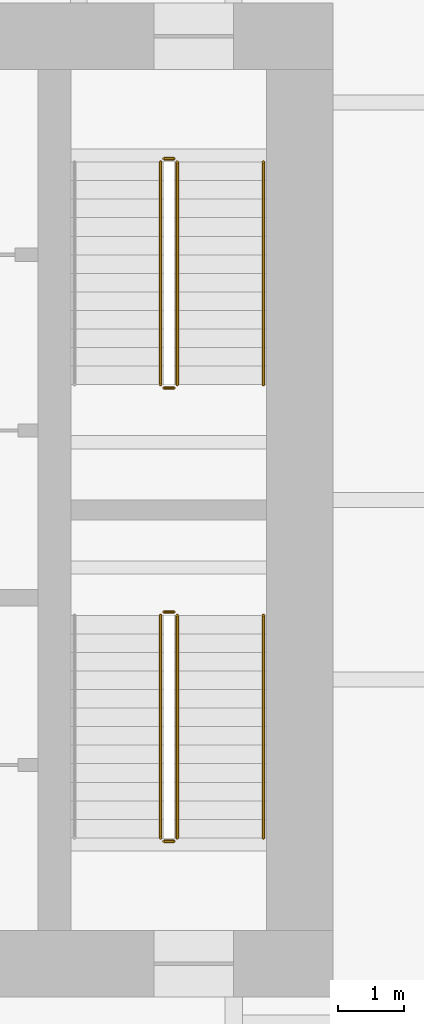
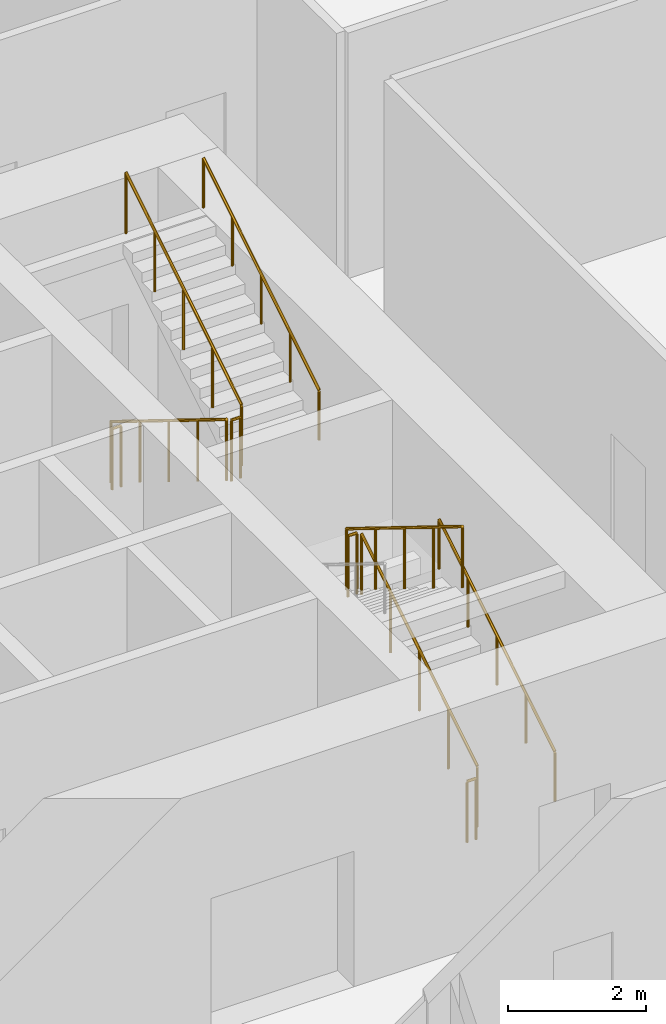
# One storey, part 32 of 33: 10 railings.
"""IFC4 building model written with IfcOpenShell, lengths in metres."""

import ifcopenshell
import ifcopenshell.guid

model = None  # the IFC model being written
_history = None  # IfcOwnerHistory: only IFC2X3 demands one
_inside = {}  # id of a spatial element -> (the spatial element, [elements in it])
_under = {}  # id of a project, library or spatial element -> (it, [spatial elements below it])
_declared = {}  # id of a project -> (the project, [libraries it declares])
_typed = {}  # id of a type object -> (the type object, [elements of that type])
_made_of = {}  # id of a material, layer set ... -> (it, [elements and type objects made of it])


def new_model(schema):
    """Start an empty IFC model of exactly this schema.

    Asked for "IFC4X3", IfcOpenShell would pick the latest addendum, in which some entities
    have other attributes; the version numbers below select the first issue.
    IFC2X3 requires an IfcOwnerHistory on every rooted entity: one is made here for all.
    """
    global model, _history
    if schema == "IFC4X3":
        model = ifcopenshell.file(schema_version=(4, 3, 0, 0))
    else:
        model = ifcopenshell.file(schema=schema)
    _inside.clear()
    _under.clear()
    _declared.clear()
    _typed.clear()
    _made_of.clear()
    _history = None
    if model.schema == "IFC2X3":
        org = make("IfcOrganization", Name="unknown")
        user = make(
            "IfcPersonAndOrganization",
            ThePerson=make("IfcPerson", FamilyName="unknown"),
            TheOrganization=org,
        )
        app = make(
            "IfcApplication",
            ApplicationDeveloper=org,
            Version="unknown",
            ApplicationFullName="unknown",
            ApplicationIdentifier="unknown",
        )
        _history = make(
            "IfcOwnerHistory",
            OwningUser=user,
            OwningApplication=app,
            ChangeAction="ADDED",
            CreationDate=0,
        )
    return model


def make(cls, **values):
    """One entity of the class cls with the attributes given. An attribute that is None is left unset."""
    return model.create_entity(
        cls, **{name: value for name, value in values.items() if value is not None}
    )


def rooted(cls, **values):
    """An entity with a GlobalId (a new one), such as an element, a storey or a relation."""
    return make(cls, GlobalId=ifcopenshell.guid.new(), OwnerHistory=_history, **values)


def si_unit(unit_type, name, prefix=None):
    """IfcSIUnit, for example si_unit("LENGTHUNIT", "METRE", prefix="MILLI")."""
    return make("IfcSIUnit", UnitType=unit_type, Prefix=prefix, Name=name)


def assignment(units):
    """IfcUnitAssignment: the units of a project."""
    return None if units is None else make("IfcUnitAssignment", Units=units)


def point(xyz):
    """IfcCartesianPoint."""
    return None if xyz is None else make("IfcCartesianPoint", Coordinates=xyz)


def direction(xyz):
    """IfcDirection."""
    return None if xyz is None else make("IfcDirection", DirectionRatios=xyz)


def frame(location, z_axis=None, x_axis=None):
    """IfcAxis2Placement3D, a coordinate frame: its origin and axes. An axis left out is left unset."""
    return make(
        "IfcAxis2Placement3D",
        Location=point(location),
        Axis=direction(z_axis),
        RefDirection=direction(x_axis),
    )


def frame_2d(location, x_axis=None):
    """IfcAxis2Placement2D, a coordinate frame in the plane: its origin and x axis."""
    return make(
        "IfcAxis2Placement2D", Location=point(location), RefDirection=direction(x_axis)
    )


def origin():
    """The frame at (0, 0, 0) with its axes left unset."""
    return frame((0.0, 0.0, 0.0))


def origin_2d():
    """The frame at (0, 0) in the plane with its x axis left unset."""
    return frame_2d((0.0, 0.0))


def place(relative_to, where):
    """IfcLocalPlacement: puts the frame where relative to a parent placement (None: the world)."""
    return make(
        "IfcLocalPlacement", PlacementRelTo=relative_to, RelativePlacement=where
    )


def context(
    kind, dimensions, precision=None, world=None, true_north=None, identifier=None
):
    """IfcGeometricRepresentationContext, for example the 3D "Model" context."""
    return make(
        "IfcGeometricRepresentationContext",
        ContextIdentifier=identifier,
        ContextType=kind,
        CoordinateSpaceDimension=dimensions,
        Precision=precision,
        WorldCoordinateSystem=world,
        TrueNorth=true_north,
    )


def subcontext(parent, identifier, kind, view, scale=None):
    """IfcGeometricRepresentationSubContext, for example "Body" below "Model"."""
    return make(
        "IfcGeometricRepresentationSubContext",
        ContextIdentifier=identifier,
        ContextType=kind,
        ParentContext=parent,
        TargetScale=scale,
        TargetView=view,
    )


def project(units=None, contexts=None):
    """IfcProject with its units and contexts."""
    return rooted(
        "IfcProject",
        Name="project",
        RepresentationContexts=contexts,
        UnitsInContext=assignment(units),
    )


def spatial(cls, under=None, at=None, **own):
    """A site, building, storey or space (cls), placed at a placement, below another one or the project."""
    s = rooted(cls, ObjectPlacement=at, **own)
    if under is not None:
        _under.setdefault(under.id(), (under, []))[1].append(s)
    return s


def profile(cls, at=None, kind="AREA", **sizes):
    """A parametric profile (cls). Its sizes go by their IFC names, for example OverallWidth=200.0."""
    return make(cls, ProfileType=kind, Position=at, **sizes)


def circle(**sizes):
    """IfcCircleProfileDef."""
    return profile("IfcCircleProfileDef", **sizes)


def extrude(swept, where, along, depth):
    """IfcExtrudedAreaSolid: the profile swept, set in the frame where, extruded along a direction by depth."""
    return make(
        "IfcExtrudedAreaSolid",
        SweptArea=swept,
        Position=where,
        ExtrudedDirection=direction(along),
        Depth=depth,
    )


def shape(context_of_items, identifier, shape_type, items):
    """IfcShapeRepresentation: the items that make up one representation, for example the "Body"."""
    return make(
        "IfcShapeRepresentation",
        ContextOfItems=context_of_items,
        RepresentationIdentifier=identifier,
        RepresentationType=shape_type,
        Items=items,
    )


def material(Name=None, Category=None):
    """IfcMaterial."""
    return make("IfcMaterial", Name=Name, Category=Category)


def made_of(thing, what):
    """Note that an element or type object is made of a material, layer set ...; save() writes the relation."""
    if what is not None:
        _made_of.setdefault(what.id(), (what, []))[1].append(thing)
    return thing


def type_object(cls, material=None, **own):
    """A type object (cls), such as IfcWallType, which elements share."""
    return made_of(rooted(cls, **own), material)


def element(
    cls,
    number,
    at=None,
    inside=None,
    cuts=None,
    type_object=None,
    material=None,
    context=None,
    identifier="Body",
    shape_type=None,
    held_by="IfcProductDefinitionShape",
    body=None,
    shapes=None,
    **own,
):
    """One element of the class cls, such as IfcWall. Its Tag is "e" and its number.

    at: its placement. inside: the storey or other place that contains it. cuts: it is an
    opening in that element (IfcRelVoidsElement). A single representation is given by context,
    identifier, shape_type and body (its items); several are given by shapes. held_by: the class
    of the entity that holds the representations. save() writes the other relations.
    """
    e = rooted(cls, Tag="e%d" % number, ObjectPlacement=at, **own)
    if body is not None:
        shapes = [shape(context, identifier, shape_type, body)]
    if shapes is not None:
        e.Representation = make(held_by, Representations=shapes)
    if inside is not None:
        _inside.setdefault(inside.id(), (inside, []))[1].append(e)
    if cuts is not None:
        rooted(
            "IfcRelVoidsElement", RelatingBuildingElement=cuts, RelatedOpeningElement=e
        )
    if type_object is not None:
        _typed.setdefault(type_object.id(), (type_object, []))[1].append(e)
    return made_of(e, material)


def aggregate(whole, parts):
    """IfcRelAggregates: a whole, such as a stair, and the parts it consists of."""
    return rooted("IfcRelAggregates", RelatingObject=whole, RelatedObjects=parts)


def save(model, path):
    """Write the relations noted so far, then the file.

    IfcRelAggregates (storeys below a building ...), IfcRelContainedInSpatialStructure (elements
    in a storey), IfcRelDefinesByType, IfcRelAssociatesMaterial and IfcRelDeclares: one each for
    every whole, place, type object, material and project.
    """
    for whole, parts in _under.values():
        aggregate(whole, parts)
    for where, things in _inside.values():
        rooted(
            "IfcRelContainedInSpatialStructure",
            RelatedElements=things,
            RelatingStructure=where,
        )
    for kind, things in _typed.values():
        rooted("IfcRelDefinesByType", RelatedObjects=things, RelatingType=kind)
    for what, things in _made_of.values():
        rooted("IfcRelAssociatesMaterial", RelatedObjects=things, RelatingMaterial=what)
    for by, libraries in _declared.values():
        rooted("IfcRelDeclares", RelatingContext=by, RelatedDefinitions=libraries)
    model.write(path)


model = new_model("IFC4")

# Units and contexts
model_context = context("Model", 3, precision=1e-05, world=origin(), true_north=direction((0.0, 1.0)))
body_context = subcontext(model_context, "Body", "Model", "MODEL_VIEW")
ifc_project = project(units=[si_unit("LENGTHUNIT", "METRE"), si_unit("AREAUNIT", "SQUARE_METRE"), si_unit("VOLUMEUNIT", "CUBIC_METRE"), si_unit("PLANEANGLEUNIT", "RADIAN"), si_unit("MASSUNIT", "GRAM", prefix="KILO")], contexts=[model_context])

# Site, building, storey
site_placement = place(None, origin())
site = spatial("IfcSite", under=ifc_project, at=site_placement, CompositionType="ELEMENT")
building_placement = place(site_placement, origin())
building = spatial("IfcBuilding", under=site, at=building_placement, Name="Isthmus Gate Tower", CompositionType="ELEMENT")
storey_placement = place(building_placement, frame((0.0, 0.0, 31.5)))
storey = spatial("IfcBuildingStorey", under=building, at=storey_placement, Name="L05", CompositionType="ELEMENT", Elevation=31.5)

# Railings
ifc_material_1 = material(Name="Stainless steel balustrade", Category="steel")
railing_type_1 = type_object("IfcRailingType", Name="STAIR GUARD 1100", PredefinedType="GUARDRAIL", material=ifc_material_1)
railing_1_placement = place(storey_placement, frame((12.39990234375, 12.60009765625, 0.173095703125)))
element("IfcRailing", 1, at=railing_1_placement, inside=storey, type_object=railing_type_1, Name="L05 ST2 stair guard 1", PredefinedType="GUARDRAIL", context=body_context, shape_type="SweptSolid", body=[
    extrude(circle(Radius=0.02392578125, at=origin_2d()), frame((0.0, 0.0, 1.076171875), z_axis=(0.0, -0.850623216509, 0.525775754039), x_axis=(1.0, 0.0, 0.0)), (0.0, 0.0, 1.0), 3.9501953125),
    extrude(circle(Radius=0.02099609375, at=origin_2d()), origin(), (0.0, 0.0, 1.0), 1.052001953125),
    extrude(circle(Radius=0.02099609375, at=origin_2d()), frame((0.0, -0.840087890625, 0.519287109375)), (0.0, 0.0, 1.0), 1.052001953125),
    extrude(circle(Radius=0.02099609375, at=origin_2d()), frame((0.0, -1.68017578125, 1.03857421875)), (0.0, 0.0, 1.0), 1.052001953125),
    extrude(circle(Radius=0.02099609375, at=origin_2d()), frame((0.0, -2.52001953125, 1.5576171875)), (0.0, 0.0, 1.0), 1.052001953125),
    extrude(circle(Radius=0.02099609375, at=origin_2d()), frame((0.0, -3.360107421875, 2.076904296875)), (0.0, 0.0, 1.0), 1.052001953125),
])
railing_2_placement = place(storey_placement, frame((12.449951171875, 9.18994140625, 2.25)))
element("IfcRailing", 2, at=railing_2_placement, inside=storey, type_object=railing_type_1, Name="L05 ST2 stair guard 2", PredefinedType="GUARDRAIL", context=body_context, shape_type="SweptSolid", body=[
    extrude(circle(Radius=0.02392578125, at=origin_2d()), frame((0.0, 0.0, 1.076171875), z_axis=(1.0, 0.0, 0.0), x_axis=(0.0, 1.0, 0.0)), (0.0, 0.0, 1.0), 0.150146484375),
    extrude(circle(Radius=0.02099609375, at=origin_2d()), origin(), (0.0, 0.0, 1.0), 1.052001953125),
    extrude(circle(Radius=0.02099609375, at=origin_2d()), frame((0.150146484375, 0.0, 0.0)), (0.0, 0.0, 1.0), 1.052001953125),
])
railing_3_placement = place(storey_placement, frame((12.64990234375, 9.239990234375, 2.423095703125)))
element("IfcRailing", 3, at=railing_3_placement, inside=storey, type_object=railing_type_1, Name="L05 ST2 stair guard 3", PredefinedType="GUARDRAIL", context=body_context, shape_type="SweptSolid", body=[
    extrude(circle(Radius=0.02392578125, at=origin_2d()), frame((0.0, 0.0, 1.076171875), z_axis=(0.0, 0.850623216509, 0.525775754039), x_axis=(-1.0, 0.0, 0.0)), (0.0, 0.0, 1.0), 3.9501953125),
    extrude(circle(Radius=0.02099609375, at=origin_2d()), origin(), (0.0, 0.0, 1.0), 1.052001953125),
    extrude(circle(Radius=0.02099609375, at=origin_2d()), frame((0.0, 0.840087890625, 0.519287109375)), (0.0, 0.0, 1.0), 1.052001953125),
    extrude(circle(Radius=0.02099609375, at=origin_2d()), frame((0.0, 1.68017578125, 1.03857421875)), (0.0, 0.0, 1.0), 1.052001953125),
    extrude(circle(Radius=0.02099609375, at=origin_2d()), frame((0.0, 2.52001953125, 1.5576171875)), (0.0, 0.0, 1.0), 1.052001953125),
    extrude(circle(Radius=0.02099609375, at=origin_2d()), frame((0.0, 3.360107421875, 2.076904296875)), (0.0, 0.0, 1.0), 1.052001953125),
])
railing_4_placement = place(storey_placement, frame((12.449951171875, 12.64990234375, 0.0)))
element("IfcRailing", 4, at=railing_4_placement, inside=storey, type_object=railing_type_1, Name="L05 ST2 stair guard 4", PredefinedType="GUARDRAIL", context=body_context, shape_type="SweptSolid", body=[
    extrude(circle(Radius=0.02392578125, at=origin_2d()), frame((0.0, 0.0, 1.076171875), z_axis=(1.0, 0.0, 0.0), x_axis=(0.0, 1.0, 0.0)), (0.0, 0.0, 1.0), 0.150146484375),
    extrude(circle(Radius=0.02099609375, at=origin_2d()), origin(), (0.0, 0.0, 1.0), 1.052001953125),
    extrude(circle(Radius=0.02099609375, at=origin_2d()), frame((0.150146484375, 0.0, 0.0)), (0.0, 0.0, 1.0), 1.052001953125),
])
railing_5_placement = place(storey_placement, frame((12.64990234375, 2.39990234375, 0.173095703125)))
element("IfcRailing", 5, at=railing_5_placement, inside=storey, type_object=railing_type_1, Name="L05 ST8 stair guard 1", PredefinedType="GUARDRAIL", context=body_context, shape_type="SweptSolid", body=[
    extrude(circle(Radius=0.02392578125, at=origin_2d()), frame((0.0, 0.0, 1.076171875), z_axis=(0.0, 0.850623216509, 0.525775754039), x_axis=(-1.0, 0.0, 0.0)), (0.0, 0.0, 1.0), 3.9501953125),
    extrude(circle(Radius=0.02099609375, at=origin_2d()), origin(), (0.0, 0.0, 1.0), 1.052001953125),
    extrude(circle(Radius=0.02099609375, at=origin_2d()), frame((0.0, 0.840087890625, 0.519287109375)), (0.0, 0.0, 1.0), 1.052001953125),
    extrude(circle(Radius=0.02099609375, at=origin_2d()), frame((0.0, 1.68017578125, 1.03857421875)), (0.0, 0.0, 1.0), 1.052001953125),
    extrude(circle(Radius=0.02099609375, at=origin_2d()), frame((0.0, 2.52001953125, 1.5576171875)), (0.0, 0.0, 1.0), 1.052001953125),
    extrude(circle(Radius=0.02099609375, at=origin_2d()), frame((0.0, 3.360107421875, 2.076904296875)), (0.0, 0.0, 1.0), 1.052001953125),
])
railing_6_placement = place(storey_placement, frame((12.60009765625, 5.81005859375, 2.25)))
element("IfcRailing", 6, at=railing_6_placement, inside=storey, type_object=railing_type_1, Name="L05 ST8 stair guard 2", PredefinedType="GUARDRAIL", context=body_context, shape_type="SweptSolid", body=[
    extrude(circle(Radius=0.02392578125, at=origin_2d()), frame((0.0, 0.0, 1.076171875), z_axis=(-1.0, 0.0, 0.0), x_axis=(0.0, -1.0, 0.0)), (0.0, 0.0, 1.0), 0.150146484375),
    extrude(circle(Radius=0.02099609375, at=origin_2d()), origin(), (0.0, 0.0, 1.0), 1.052001953125),
    extrude(circle(Radius=0.02099609375, at=origin_2d()), frame((-0.150146484375, 0.0, 0.0)), (0.0, 0.0, 1.0), 1.052001953125),
])
railing_7_placement = place(storey_placement, frame((12.39990234375, 5.760009765625, 2.423095703125)))
element("IfcRailing", 7, at=railing_7_placement, inside=storey, type_object=railing_type_1, Name="L05 ST8 stair guard 3", PredefinedType="GUARDRAIL", context=body_context, shape_type="SweptSolid", body=[
    extrude(circle(Radius=0.02392578125, at=origin_2d()), frame((0.0, 0.0, 1.076171875), z_axis=(0.0, -0.850623216509, 0.525775754039), x_axis=(1.0, 0.0, 0.0)), (0.0, 0.0, 1.0), 3.9501953125),
    extrude(circle(Radius=0.02099609375, at=origin_2d()), origin(), (0.0, 0.0, 1.0), 1.052001953125),
    extrude(circle(Radius=0.02099609375, at=origin_2d()), frame((0.0, -0.840087890625, 0.519287109375)), (0.0, 0.0, 1.0), 1.052001953125),
    extrude(circle(Radius=0.02099609375, at=origin_2d()), frame((0.0, -1.68017578125, 1.03857421875)), (0.0, 0.0, 1.0), 1.052001953125),
    extrude(circle(Radius=0.02099609375, at=origin_2d()), frame((0.0, -2.52001953125, 1.5576171875)), (0.0, 0.0, 1.0), 1.052001953125),
    extrude(circle(Radius=0.02099609375, at=origin_2d()), frame((0.0, -3.360107421875, 2.076904296875)), (0.0, 0.0, 1.0), 1.052001953125),
])
railing_8_placement = place(storey_placement, frame((12.60009765625, 2.35009765625, 0.0)))
element("IfcRailing", 8, at=railing_8_placement, inside=storey, type_object=railing_type_1, Name="L05 ST8 stair guard 4", PredefinedType="GUARDRAIL", context=body_context, shape_type="SweptSolid", body=[
    extrude(circle(Radius=0.02392578125, at=origin_2d()), frame((0.0, 0.0, 1.076171875), z_axis=(-1.0, 0.0, 0.0), x_axis=(0.0, -1.0, 0.0)), (0.0, 0.0, 1.0), 0.150146484375),
    extrude(circle(Radius=0.02099609375, at=origin_2d()), origin(), (0.0, 0.0, 1.0), 1.052001953125),
    extrude(circle(Radius=0.02099609375, at=origin_2d()), frame((-0.150146484375, 0.0, 0.0)), (0.0, 0.0, 1.0), 1.052001953125),
])
ifc_material_2 = material(Name="Stainless steel handrail", Category="steel")
railing_type_2 = type_object("IfcRailingType", Name="STAIR HANDRAIL 900", PredefinedType="HANDRAIL", material=ifc_material_2)
for number, where, name in (
    (9, (13.949951171875, 9.239990234375, 2.423095703125), "L05 ST2 stair handrail 2"),
    (10, (13.949951171875, 2.39990234375, 0.173095703125), "L05 ST8 stair handrail 1"),
):
    element("IfcRailing", number, at=place(storey_placement, frame(where)), inside=storey, type_object=railing_type_2, Name=name, PredefinedType="HANDRAIL", context=body_context, shape_type="SweptSolid", body=[
        extrude(circle(Radius=0.02392578125, at=origin_2d()), frame((0.0, 0.0, 0.8759765625), z_axis=(0.0, 0.850623216509, 0.525775754039), x_axis=(-1.0, 0.0, 0.0)), (0.0, 0.0, 1.0), 3.9501953125),
        extrude(circle(Radius=0.02099609375, at=origin_2d()), origin(), (0.0, 0.0, 1.0), 0.851806640625),
        extrude(circle(Radius=0.02099609375, at=origin_2d()), frame((0.0, 0.840087890625, 0.519287109375)), (0.0, 0.0, 1.0), 0.851806640625),
        extrude(circle(Radius=0.02099609375, at=origin_2d()), frame((0.0, 1.68017578125, 1.03857421875)), (0.0, 0.0, 1.0), 0.851806640625),
        extrude(circle(Radius=0.02099609375, at=origin_2d()), frame((0.0, 2.52001953125, 1.5576171875)), (0.0, 0.0, 1.0), 0.851806640625),
        extrude(circle(Radius=0.02099609375, at=origin_2d()), frame((0.0, 3.360107421875, 2.076904296875)), (0.0, 0.0, 1.0), 0.851806640625),
    ])

save(model, "model.ifc")
